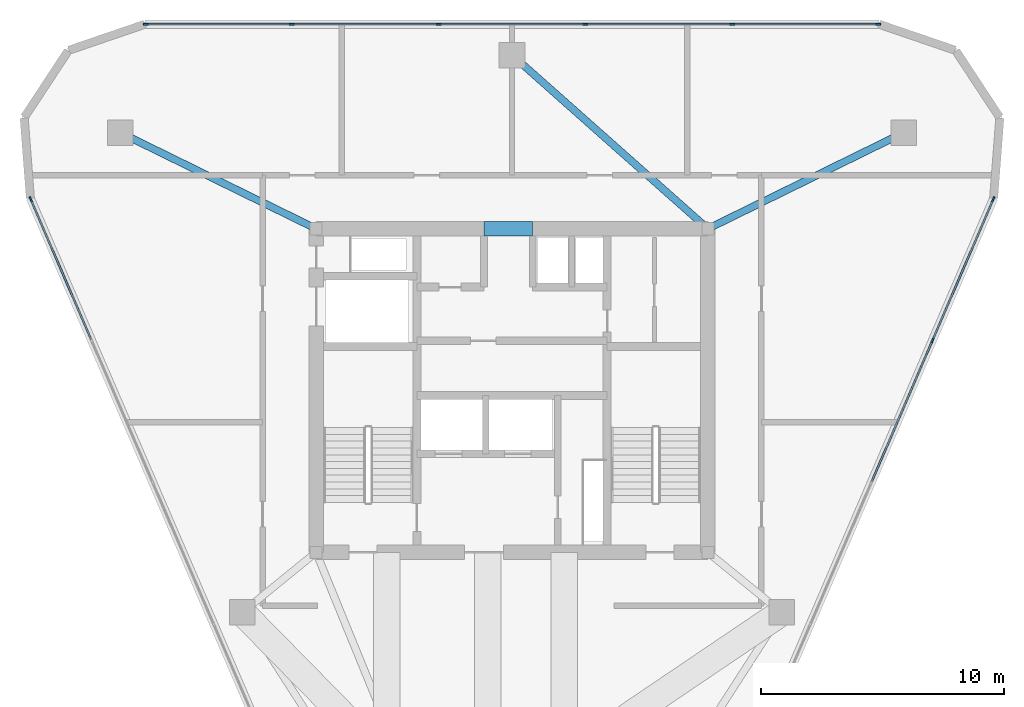
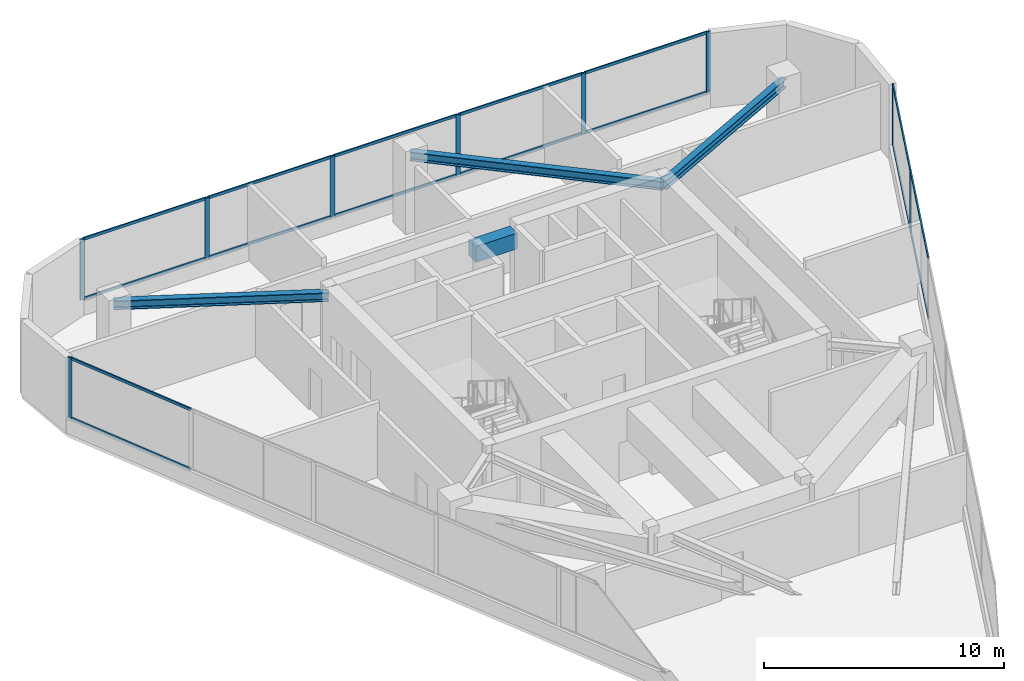
# One storey, part 3 of 7: 25 members, 4 beams, 3 elements without a shape of their own.
"""IFC4 building model written with IfcOpenShell, lengths in metres."""

from ifc_helpers import new_model, si_unit, direction, frame, origin, origin_2d, place, context, subcontext, project, spatial, rectangle, i_section, extrude, material, layer, layer_set, material_profile, profile_set, type_object, element, aggregate, save


model = new_model("IFC4")

# Units and contexts
model_context = context("Model", 3, precision=1e-05, world=origin(), true_north=direction((0.0, 1.0)))
body_context = subcontext(model_context, "Body", "Model", "MODEL_VIEW")
ifc_project = project(units=[si_unit("LENGTHUNIT", "METRE"), si_unit("AREAUNIT", "SQUARE_METRE"), si_unit("VOLUMEUNIT", "CUBIC_METRE"), si_unit("PLANEANGLEUNIT", "RADIAN"), si_unit("MASSUNIT", "GRAM", prefix="KILO")], contexts=[model_context])

# Site, building, storey
site_placement = place(None, origin())
site = spatial("IfcSite", under=ifc_project, at=site_placement, CompositionType="ELEMENT")
building_placement = place(site_placement, origin())
building = spatial("IfcBuilding", under=site, at=building_placement, Name="Talyreon Biosciences Tower", CompositionType="ELEMENT")
storey_placement = place(building_placement, frame((0.0, 0.0, 313.0)))
storey = spatial("IfcBuildingStorey", under=building, at=storey_placement, Name="L83", CompositionType="ELEMENT", Elevation=313.0)

# Curtain wall, members
ifc_material_1 = material(Name="Thermally broken aluminium and low-E glazing", Category="aluminium")
ifc_layer = layer(ifc_material_1, 0.2099609375)
ifc_layer_set = layer_set([ifc_layer], Name="Thermally broken aluminium and low-E glazing")
curtain_wall_type = type_object("IfcCurtainWallType", Name="CurtainWall_SlantedCrown", PredefinedType="NOTDEFINED", material=ifc_layer_set)
curtain_wall_1_placement = place(storey_placement, origin())
curtain_wall_1 = element("IfcCurtainWall", 1, at=curtain_wall_1_placement, inside=storey, type_object=curtain_wall_type, Name="L83 Unitised Curtain Wall FCW-L83-03C", PredefinedType="NOTDEFINED")
ifc_material_2 = material(Name="Anodised thermally broken aluminium", Category="aluminium")
ifc_material_profile_1 = material_profile(ifc_material_2, rectangle(XDim=0.074951171875, YDim=0.2099609375, at=origin_2d()), Name="ALUM MULLION 75x210")
ifc_profile_set_1 = profile_set([ifc_material_profile_1], Name="Anodised thermally broken aluminium")
member_type_1 = type_object("IfcMemberType", Name="CWMullion_75x210", PredefinedType="MULLION", material=ifc_profile_set_1)
member_1_placement = place(storey_placement, frame((50.95068359375, 83.058837890625, 0.7099609375), z_axis=(0.0, 0.0, 1.0), x_axis=(0.0, 1.0, 0.0)))
member_1 = element("IfcMember", 2, at=member_1_placement, type_object=member_type_1, Name="CW8 mullion 1", PredefinedType="MULLION", context=body_context, shape_type="SweptSolid", body=[
    extrude(rectangle(XDim=0.074951171875, YDim=0.2099609375, at=origin_2d()), origin(), (0.0, 0.0, 1.0), 3.090087890625),
])
member_2_placement = place(storey_placement, frame((56.947998046875, 83.058837890625, 0.7099609375), z_axis=(0.0, 0.0, 1.0), x_axis=(0.0, 1.0, 0.0)))
member_2 = element("IfcMember", 3, at=member_2_placement, type_object=member_type_1, Name="CW8 mullion 2", PredefinedType="MULLION", context=body_context, shape_type="SweptSolid", body=[
    extrude(rectangle(XDim=0.074951171875, YDim=0.2099609375, at=origin_2d()), origin(), (0.0, 0.0, 1.0), 3.090087890625),
])
member_3_placement = place(storey_placement, frame((62.982666015625, 83.058837890625, 0.7099609375), z_axis=(0.0, 0.0, 1.0), x_axis=(0.0, 1.0, 0.0)))
member_3 = element("IfcMember", 4, at=member_3_placement, type_object=member_type_1, Name="CW8 mullion 3", PredefinedType="MULLION", context=body_context, shape_type="SweptSolid", body=[
    extrude(rectangle(XDim=0.074951171875, YDim=0.2099609375, at=origin_2d()), origin(), (0.0, 0.0, 1.0), 3.090087890625),
])
member_4_placement = place(storey_placement, frame((69.017333984375, 83.058837890625, 0.7099609375), z_axis=(0.0, 0.0, 1.0), x_axis=(0.0, 1.0, 0.0)))
member_4 = element("IfcMember", 5, at=member_4_placement, type_object=member_type_1, Name="CW8 mullion 4", PredefinedType="MULLION", context=body_context, shape_type="SweptSolid", body=[
    extrude(rectangle(XDim=0.074951171875, YDim=0.2099609375, at=origin_2d()), origin(), (0.0, 0.0, 1.0), 3.090087890625),
])
member_5_placement = place(storey_placement, frame((75.052001953125, 83.058837890625, 0.7099609375), z_axis=(0.0, 0.0, 1.0), x_axis=(0.0, 1.0, 0.0)))
member_5 = element("IfcMember", 6, at=member_5_placement, type_object=member_type_1, Name="CW8 mullion 5", PredefinedType="MULLION", context=body_context, shape_type="SweptSolid", body=[
    extrude(rectangle(XDim=0.074951171875, YDim=0.2099609375, at=origin_2d()), origin(), (0.0, 0.0, 1.0), 3.090087890625),
])
member_6_placement = place(storey_placement, frame((81.04931640625, 83.058837890625, 0.7099609375), z_axis=(0.0, 0.0, 1.0), x_axis=(0.0, 1.0, 0.0)))
member_6 = element("IfcMember", 7, at=member_6_placement, type_object=member_type_1, Name="CW8 mullion 6", PredefinedType="MULLION", context=body_context, shape_type="SweptSolid", body=[
    extrude(rectangle(XDim=0.074951171875, YDim=0.2099609375, at=origin_2d()), origin(), (0.0, 0.0, 1.0), 3.090087890625),
])

curtain_wall_2_placement = place(storey_placement, origin())
curtain_wall_2 = element("IfcCurtainWall", 8, at=curtain_wall_2_placement, inside=storey, type_object=curtain_wall_type, Name="L83 Unitised Curtain Wall FCW-L83-07C", PredefinedType="NOTDEFINED")
member_7_placement = place(storey_placement, frame((85.782470703125, 75.867431640625, 0.7099609375), z_axis=(0.0, 0.0, 1.0), x_axis=(0.918487228756, -0.395450642447, 0.0)))
member_7 = element("IfcMember", 9, at=member_7_placement, type_object=member_type_1, Name="CW8 mullion 1", PredefinedType="MULLION", context=body_context, shape_type="SweptSolid", body=[
    extrude(rectangle(XDim=0.074951171875, YDim=0.2099609375, at=origin_2d()), origin(), (0.0, 0.0, 1.0), 3.090087890625),
])
member_8_placement = place(storey_placement, frame((83.28271484375, 70.06103515625, 0.7099609375), z_axis=(0.0, 0.0, 1.0), x_axis=(0.918487228756, -0.395450642447, 0.0)))
member_8 = element("IfcMember", 10, at=member_8_placement, type_object=member_type_1, Name="CW8 mullion 2", PredefinedType="MULLION", context=body_context, shape_type="SweptSolid", body=[
    extrude(rectangle(XDim=0.074951171875, YDim=0.2099609375, at=origin_2d()), origin(), (0.0, 0.0, 1.0), 3.090087890625),
])

# Curtain wall, member
curtain_wall_3_placement = place(storey_placement, origin())
curtain_wall_3 = element("IfcCurtainWall", 11, at=curtain_wall_3_placement, inside=storey, type_object=curtain_wall_type, Name="L83 Unitised Curtain Wall FCW-L83-11C", PredefinedType="NOTDEFINED")
member_9_placement = place(storey_placement, frame((46.217529296875, 75.867431640625, 0.7099609375), z_axis=(0.0, 0.0, 1.0), x_axis=(-0.918487228756, -0.395450642447, 0.0)))
member_9 = element("IfcMember", 12, at=member_9_placement, type_object=member_type_1, Name="CW8 mullion 7", PredefinedType="MULLION", context=body_context, shape_type="SweptSolid", body=[
    extrude(rectangle(XDim=0.074951171875, YDim=0.2099609375, at=origin_2d()), origin(), (0.0, 0.0, 1.0), 3.090087890625),
])

# Member
ifc_material_profile_2 = material_profile(ifc_material_2, rectangle(XDim=0.06494140625, YDim=0.139892578125, at=origin_2d()), Name="ALUM TRANSOM 65x140")
ifc_profile_set_2 = profile_set([ifc_material_profile_2], Name="Anodised thermally broken aluminium")
member_type_2 = type_object("IfcMemberType", Name="CWTransom_65x140", PredefinedType="USERDEFINED", material=ifc_profile_set_2)
member_10_placement = place(storey_placement, frame((50.98828125, 83.058837890625, 0.742431640625), z_axis=(1.0, 0.0, 0.0), x_axis=(0.0, 1.0, 0.0)))
member_10 = element("IfcMember", 13, at=member_10_placement, type_object=member_type_2, Name="CW8 transom 1.1", ObjectType="TRANSOM", PredefinedType="USERDEFINED", context=body_context, shape_type="SweptSolid", body=[
    extrude(rectangle(XDim=0.06494140625, YDim=0.139892578125, at=origin_2d()), origin(), (0.0, 0.0, 1.0), 5.922119140625),
])

member_11_placement = place(storey_placement, frame((50.98828125, 83.058837890625, 3.767578125), z_axis=(1.0, 0.0, 0.0), x_axis=(0.0, 1.0, 0.0)))
member_11 = element("IfcMember", 14, at=member_11_placement, type_object=member_type_2, Name="CW8 transom 1.2", ObjectType="TRANSOM", PredefinedType="USERDEFINED", context=body_context, shape_type="SweptSolid", body=[
    extrude(rectangle(XDim=0.06494140625, YDim=0.139892578125, at=origin_2d()), origin(), (0.0, 0.0, 1.0), 5.922119140625),
])

member_12_placement = place(storey_placement, frame((56.985595703125, 83.058837890625, 0.742431640625), z_axis=(1.0, 0.0, 0.0), x_axis=(0.0, 1.0, 0.0)))
member_12 = element("IfcMember", 15, at=member_12_placement, type_object=member_type_2, Name="CW8 transom 2.1", ObjectType="TRANSOM", PredefinedType="USERDEFINED", context=body_context, shape_type="SweptSolid", body=[
    extrude(rectangle(XDim=0.06494140625, YDim=0.139892578125, at=origin_2d()), origin(), (0.0, 0.0, 1.0), 5.95947265625),
])

member_13_placement = place(storey_placement, frame((56.985595703125, 83.058837890625, 3.767578125), z_axis=(1.0, 0.0, 0.0), x_axis=(0.0, 1.0, 0.0)))
member_13 = element("IfcMember", 16, at=member_13_placement, type_object=member_type_2, Name="CW8 transom 2.2", ObjectType="TRANSOM", PredefinedType="USERDEFINED", context=body_context, shape_type="SweptSolid", body=[
    extrude(rectangle(XDim=0.06494140625, YDim=0.139892578125, at=origin_2d()), origin(), (0.0, 0.0, 1.0), 5.95947265625),
])

member_14_placement = place(storey_placement, frame((63.020263671875, 83.058837890625, 0.742431640625), z_axis=(1.0, 0.0, 0.0), x_axis=(0.0, 1.0, 0.0)))
member_14 = element("IfcMember", 17, at=member_14_placement, type_object=member_type_2, Name="CW8 transom 3.1", ObjectType="TRANSOM", PredefinedType="USERDEFINED", context=body_context, shape_type="SweptSolid", body=[
    extrude(rectangle(XDim=0.06494140625, YDim=0.139892578125, at=origin_2d()), origin(), (0.0, 0.0, 1.0), 5.95947265625),
])

member_15_placement = place(storey_placement, frame((63.020263671875, 83.058837890625, 3.767578125), z_axis=(1.0, 0.0, 0.0), x_axis=(0.0, 1.0, 0.0)))
member_15 = element("IfcMember", 18, at=member_15_placement, type_object=member_type_2, Name="CW8 transom 3.2", ObjectType="TRANSOM", PredefinedType="USERDEFINED", context=body_context, shape_type="SweptSolid", body=[
    extrude(rectangle(XDim=0.06494140625, YDim=0.139892578125, at=origin_2d()), origin(), (0.0, 0.0, 1.0), 5.95947265625),
])

member_16_placement = place(storey_placement, frame((69.054931640625, 83.058837890625, 0.742431640625), z_axis=(1.0, 0.0, 0.0), x_axis=(0.0, 1.0, 0.0)))
member_16 = element("IfcMember", 19, at=member_16_placement, type_object=member_type_2, Name="CW8 transom 4.1", ObjectType="TRANSOM", PredefinedType="USERDEFINED", context=body_context, shape_type="SweptSolid", body=[
    extrude(rectangle(XDim=0.06494140625, YDim=0.139892578125, at=origin_2d()), origin(), (0.0, 0.0, 1.0), 5.95947265625),
])

member_17_placement = place(storey_placement, frame((69.054931640625, 83.058837890625, 3.767578125), z_axis=(1.0, 0.0, 0.0), x_axis=(0.0, 1.0, 0.0)))
member_17 = element("IfcMember", 20, at=member_17_placement, type_object=member_type_2, Name="CW8 transom 4.2", ObjectType="TRANSOM", PredefinedType="USERDEFINED", context=body_context, shape_type="SweptSolid", body=[
    extrude(rectangle(XDim=0.06494140625, YDim=0.139892578125, at=origin_2d()), origin(), (0.0, 0.0, 1.0), 5.95947265625),
])

member_18_placement = place(storey_placement, frame((75.089599609375, 83.058837890625, 0.742431640625), z_axis=(1.0, 0.0, 0.0), x_axis=(0.0, 1.0, 0.0)))
member_18 = element("IfcMember", 21, at=member_18_placement, type_object=member_type_2, Name="CW8 transom 5.1", ObjectType="TRANSOM", PredefinedType="USERDEFINED", context=body_context, shape_type="SweptSolid", body=[
    extrude(rectangle(XDim=0.06494140625, YDim=0.139892578125, at=origin_2d()), origin(), (0.0, 0.0, 1.0), 5.922119140625),
])

member_19_placement = place(storey_placement, frame((75.089599609375, 83.058837890625, 3.767578125), z_axis=(1.0, 0.0, 0.0), x_axis=(0.0, 1.0, 0.0)))
member_19 = element("IfcMember", 22, at=member_19_placement, type_object=member_type_2, Name="CW8 transom 5.2", ObjectType="TRANSOM", PredefinedType="USERDEFINED", context=body_context, shape_type="SweptSolid", body=[
    extrude(rectangle(XDim=0.06494140625, YDim=0.139892578125, at=origin_2d()), origin(), (0.0, 0.0, 1.0), 5.922119140625),
])

aggregate(curtain_wall_1, [member_1, member_2, member_3, member_4, member_5, member_6, member_10, member_11, member_12, member_13, member_14, member_15, member_16, member_17, member_18, member_19])

member_20_placement = place(storey_placement, frame((85.767822265625, 75.8330078125, 0.742431640625), z_axis=(-0.395475293294, -0.91847661505, 0.0), x_axis=(0.91847661505, -0.395475293294, 0.0)))
member_20 = element("IfcMember", 23, at=member_20_placement, type_object=member_type_2, Name="CW8 transom 1.1", ObjectType="TRANSOM", PredefinedType="USERDEFINED", context=body_context, shape_type="SweptSolid", body=[
    extrude(rectangle(XDim=0.06494140625, YDim=0.139892578125, at=origin_2d()), origin(), (0.0, 0.0, 1.0), 6.246826171875),
])

member_21_placement = place(storey_placement, frame((85.767822265625, 75.8330078125, 3.767578125), z_axis=(-0.395475293294, -0.91847661505, 0.0), x_axis=(0.91847661505, -0.395475293294, 0.0)))
member_21 = element("IfcMember", 24, at=member_21_placement, type_object=member_type_2, Name="CW8 transom 1.2", ObjectType="TRANSOM", PredefinedType="USERDEFINED", context=body_context, shape_type="SweptSolid", body=[
    extrude(rectangle(XDim=0.06494140625, YDim=0.139892578125, at=origin_2d()), origin(), (0.0, 0.0, 1.0), 6.246826171875),
])

member_22_placement = place(storey_placement, frame((83.267822265625, 70.026611328125, 0.742431640625), z_axis=(-0.395451977448, -0.918486653976, 0.0), x_axis=(0.918486653976, -0.395451977448, 0.0)))
member_22 = element("IfcMember", 25, at=member_22_placement, type_object=member_type_2, Name="CW8 transom 2.1", ObjectType="TRANSOM", PredefinedType="USERDEFINED", context=body_context, shape_type="SweptSolid", body=[
    extrude(rectangle(XDim=0.06494140625, YDim=0.139892578125, at=origin_2d()), origin(), (0.0, 0.0, 1.0), 6.2841796875),
])

member_23_placement = place(storey_placement, frame((83.267822265625, 70.026611328125, 3.767578125), z_axis=(-0.395451977448, -0.918486653976, 0.0), x_axis=(0.918486653976, -0.395451977448, 0.0)))
member_23 = element("IfcMember", 26, at=member_23_placement, type_object=member_type_2, Name="CW8 transom 2.2", ObjectType="TRANSOM", PredefinedType="USERDEFINED", context=body_context, shape_type="SweptSolid", body=[
    extrude(rectangle(XDim=0.06494140625, YDim=0.139892578125, at=origin_2d()), origin(), (0.0, 0.0, 1.0), 6.2841796875),
])

aggregate(curtain_wall_2, [member_7, member_8, member_20, member_21, member_22, member_23])

member_24_placement = place(storey_placement, frame((48.70263671875, 70.095458984375, 0.742431640625), z_axis=(-0.395475293294, 0.91847661505, 0.0), x_axis=(-0.91847661505, -0.395475293294, 0.0)))
member_24 = element("IfcMember", 27, at=member_24_placement, type_object=member_type_2, Name="CW8 transom 6.1", ObjectType="TRANSOM", PredefinedType="USERDEFINED", context=body_context, shape_type="SweptSolid", body=[
    extrude(rectangle(XDim=0.06494140625, YDim=0.139892578125, at=origin_2d()), origin(), (0.0, 0.0, 1.0), 6.246826171875),
])

member_25_placement = place(storey_placement, frame((48.70263671875, 70.095458984375, 3.767578125), z_axis=(-0.395475293294, 0.91847661505, 0.0), x_axis=(-0.91847661505, -0.395475293294, 0.0)))
member_25 = element("IfcMember", 28, at=member_25_placement, type_object=member_type_2, Name="CW8 transom 6.2", ObjectType="TRANSOM", PredefinedType="USERDEFINED", context=body_context, shape_type="SweptSolid", body=[
    extrude(rectangle(XDim=0.06494140625, YDim=0.139892578125, at=origin_2d()), origin(), (0.0, 0.0, 1.0), 6.246826171875),
])

aggregate(curtain_wall_3, [member_9, member_24, member_25])

# Beams
ifc_material_3 = material(Name="Concrete C50/60", Category="concrete")
ifc_material_profile_3 = material_profile(ifc_material_3, rectangle(XDim=0.60009765625, YDim=0.800048828125, at=origin_2d()), Name="RCB 600x800")
ifc_profile_set_3 = profile_set([ifc_material_profile_3], Name="Concrete C50/60")
beam_type_1 = type_object("IfcBeamType", Name="CoreCouplingLintel_600x800", PredefinedType="LINTEL", material=ifc_profile_set_3)
beam_1_placement = place(storey_placement, frame((64.85009765625, 74.64990234375, 3.39990234375), z_axis=(1.0, 0.0, 0.0), x_axis=(0.0, 1.0, 0.0)))
element("IfcBeam", 29, at=beam_1_placement, inside=storey, type_object=beam_type_1, Name="L83 Core Coupling Lintel", PredefinedType="LINTEL", context=body_context, shape_type="SweptSolid", body=[
    extrude(rectangle(XDim=0.60009765625, YDim=0.800048828125, at=origin_2d()), origin(), (0.0, 0.0, 1.0), 2.0),
])
ifc_material_4 = material(Name="Steel SM355", Category="steel")
ifc_material_profile_4 = material_profile(ifc_material_4, i_section(OverallWidth=0.300048828125, OverallDepth=0.449951171875, WebThickness=0.013916015625, FlangeThickness=0.02587890625, FilletRadius=0.027099609375, at=origin_2d()), Name="HE450B")
ifc_profile_set_4 = profile_set([ifc_material_profile_4], Name="Steel SM355")
beam_type_2 = type_object("IfcBeamType", Name="SteelBeam_HE450B", PredefinedType="BEAM", material=ifc_profile_set_4)
beam_2_placement = place(storey_placement, frame((74.050048828125, 74.64990234375, 3.574951171875), z_axis=(0.897852360314, 0.440296648952, 0.0), x_axis=(-0.440296648952, 0.897852360314, 0.0)))
element("IfcBeam", 30, at=beam_2_placement, inside=storey, type_object=beam_type_2, Name="L83 Radial Primary Girder 3", PredefinedType="BEAM", context=body_context, shape_type="SweptSolid", body=[
    extrude(i_section(OverallWidth=0.300048828125, OverallDepth=0.449951171875, WebThickness=0.013916015625, FlangeThickness=0.02587890625, FilletRadius=0.027099609375, at=origin_2d()), origin(), (0.0, 0.0, 1.0), 8.96826171875),
])
beam_3_placement = place(storey_placement, frame((74.050048828125, 74.64990234375, 3.574951171875), z_axis=(-0.748178733955, 0.663497235908, 0.0), x_axis=(-0.663497235908, -0.748178733955, 0.0)))
element("IfcBeam", 31, at=beam_3_placement, inside=storey, type_object=beam_type_2, Name="L83 Radial Primary Girder 4", PredefinedType="BEAM", context=body_context, shape_type="SweptSolid", body=[
    extrude(i_section(OverallWidth=0.300048828125, OverallDepth=0.449951171875, WebThickness=0.013916015625, FlangeThickness=0.02587890625, FilletRadius=0.027099609375, at=origin_2d()), origin(), (0.0, 0.0, 1.0), 10.759521484375),
])
beam_4_placement = place(storey_placement, frame((57.949951171875, 74.64990234375, 3.574951171875), z_axis=(-0.897852360314, 0.440296648952, 0.0), x_axis=(-0.440296648952, -0.897852360314, 0.0)))
element("IfcBeam", 32, at=beam_4_placement, inside=storey, type_object=beam_type_2, Name="L83 Radial Primary Girder 5", PredefinedType="BEAM", context=body_context, shape_type="SweptSolid", body=[
    extrude(i_section(OverallWidth=0.300048828125, OverallDepth=0.449951171875, WebThickness=0.013916015625, FlangeThickness=0.02587890625, FilletRadius=0.027099609375, at=origin_2d()), origin(), (0.0, 0.0, 1.0), 8.96826171875),
])

save(model, "model.ifc")
